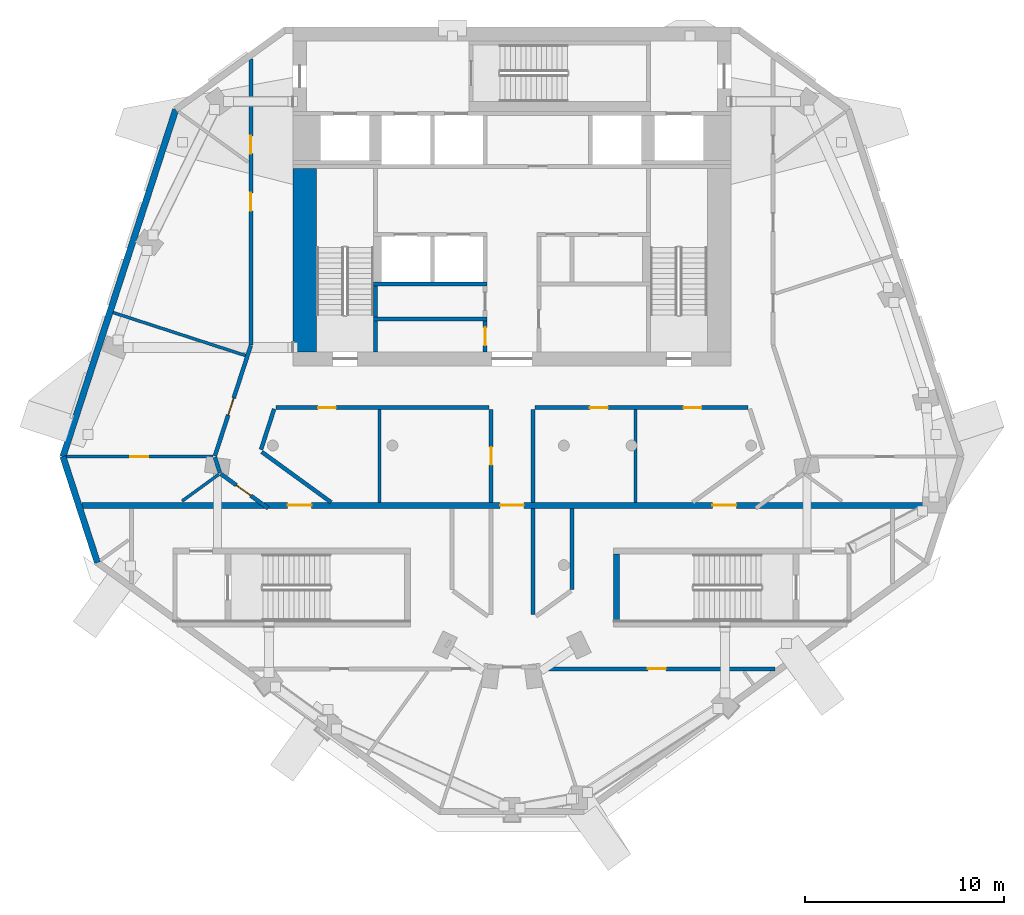
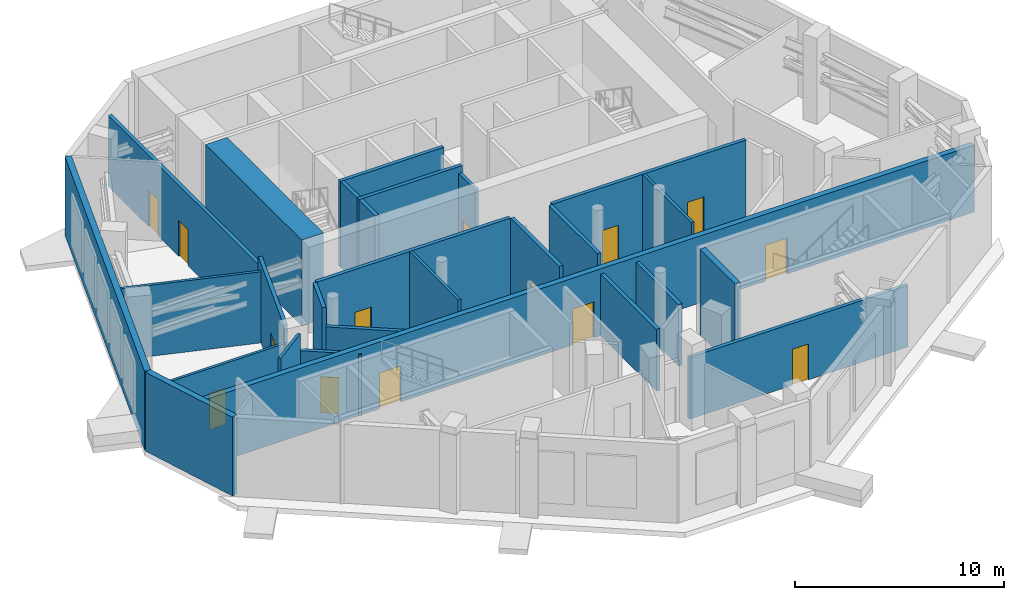
# One storey, part 7 of 15: 28 walls, 14 doors, 14 openings.
"""IFC4 building model written with IfcOpenShell, lengths in metres."""

from ifc_helpers import new_model, si_unit, direction, frame, frame_2d, origin, place, context, subcontext, project, spatial, rectangle, extrude, material, layer, layer_set, type_object, element, fill, save


model = new_model("IFC4")

# Units and contexts
model_context = context("Model", 3, precision=1e-05, world=origin(), true_north=direction((0.0, 1.0)))
body_context = subcontext(model_context, "Body", "Model", "MODEL_VIEW")
ifc_project = project(units=[si_unit("LENGTHUNIT", "METRE"), si_unit("AREAUNIT", "SQUARE_METRE"), si_unit("VOLUMEUNIT", "CUBIC_METRE"), si_unit("PLANEANGLEUNIT", "RADIAN"), si_unit("MASSUNIT", "GRAM", prefix="KILO")], contexts=[model_context])

# Site, building, storey
site_placement = place(None, origin())
site = spatial("IfcSite", under=ifc_project, at=site_placement, CompositionType="ELEMENT")
building_placement = place(site_placement, origin())
building = spatial("IfcBuilding", under=site, at=building_placement, Name="White Candle Pilgrim Tower", CompositionType="ELEMENT")
storey_placement = place(building_placement, frame((0.0, 0.0, 295.10009765625)))
storey = spatial("IfcBuildingStorey", under=building, at=storey_placement, Name="L70", CompositionType="ELEMENT", Elevation=295.10009765625)

# Wall, opening, door
ifc_material_1 = material(Name="Gypsum board on steel studs", Category="steel")
ifc_layer_1 = layer(ifc_material_1, 0.199951171875)
ifc_layer_set_1 = layer_set([ifc_layer_1], Name="Corridor wall 200 mm EI 45")
wall_type_1 = type_object("IfcWallType", Name="Corridor wall 200 mm EI 45", PredefinedType="PARTITIONING", material=ifc_layer_set_1)
wall_1_placement = place(storey_placement, frame((57.76708984375, 63.85009765625, 0.0), z_axis=(0.0, 0.0, 1.0), x_axis=(-0.809065647846, 0.587718280705, 0.0)))
wall_1 = element("IfcWall", 1, at=wall_1_placement, inside=storey, type_object=wall_type_1, Name="WL-L70-P003", PredefinedType="PARTITIONING", context=body_context, shape_type="SweptSolid", body=[
    extrude(rectangle(XDim=2.946044921875, YDim=0.199951171875, at=frame_2d((1.47314453125, 0.0))), origin(), (0.0, 0.0, 1.0), 3.599853515625),
])
opening_1_placement = place(wall_1_placement, frame((1.080078125, 0.0, 0.0)))
opening_1 = element("IfcOpeningElement", 2, at=opening_1_placement, cuts=wall_1, Name="Opening L70-120", PredefinedType="OPENING", context=body_context, shape_type="SweptSolid", body=[
    extrude(rectangle(XDim=0.89990234375, YDim=2.10009765625, at=frame_2d((0.449951171875, 1.050048828125))), frame((0.0, 0.10986328125, 0.0), z_axis=(0.0, -1.0, 0.0), x_axis=(1.0, 0.0, 0.0)), (0.0, 0.0, 1.0), 0.219970703125),
])
ifc_material_2 = material(Name="Steel door leaf", Category="steel")
door_type_1 = type_object("IfcDoorType", Name="Fire door 900 x 2100 EI 30", OperationType="NOTDEFINED", PredefinedType="DOOR", material=ifc_material_2)
door_1_placement = place(opening_1_placement, origin())
door_1 = element("IfcDoor", 3, at=door_1_placement, inside=storey, type_object=door_type_1, Name="Door L70-120", OperationType="SINGLE_SWING_RIGHT", OverallHeight=2.10009765625, OverallWidth=0.89990234375, PredefinedType="DOOR", context=body_context, shape_type="SweptSolid", body=[
    extrude(rectangle(XDim=0.89990234375, YDim=2.10009765625, at=frame_2d((0.449951171875, 1.050048828125))), frame((0.0, 0.02490234375, 0.0), z_axis=(0.0, -1.0, 0.0), x_axis=(1.0, 0.0, 0.0)), (0.0, 0.0, 1.0), 0.050048828125),
])
fill(opening_1, door_1)

# Wall
wall_2_placement = place(storey_placement, frame((55.347412109375, 65.631591796875, 0.0), z_axis=(0.0, 0.0, 1.0), x_axis=(-0.309260889552, 0.950977235371, 0.0)))
element("IfcWall", 4, at=wall_2_placement, inside=storey, type_object=wall_type_1, Name="WL-L70-P004", PredefinedType="PARTITIONING", context=body_context, shape_type="SweptSolid", body=[
    extrude(rectangle(XDim=0.821044921875, YDim=0.199951171875, at=frame_2d((0.41064453125, 0.0))), origin(), (0.0, 0.0, 1.0), 3.599853515625),
])

# Wall, opening, door
wall_3_placement = place(storey_placement, frame((55.093505859375, 66.47412109375, 0.0), z_axis=(0.0, 0.0, 1.0), x_axis=(0.30901978602, 0.95105560923, 0.0)))
wall_3 = element("IfcWall", 5, at=wall_3_placement, inside=storey, type_object=wall_type_1, Name="WL-L70-P005", PredefinedType="PARTITIONING", context=body_context, shape_type="SweptSolid", body=[
    extrude(rectangle(XDim=5.829833984375, YDim=0.199951171875, at=frame_2d((2.9150390625, 0.0))), origin(), (0.0, 0.0, 1.0), 4.599853515625),
])
opening_2_placement = place(wall_3_placement, frame((2.15673828125, 0.0, 0.0)))
opening_2 = element("IfcOpeningElement", 6, at=opening_2_placement, cuts=wall_3, Name="Opening L70-110", PredefinedType="OPENING", context=body_context, shape_type="SweptSolid", body=[
    extrude(rectangle(XDim=0.89990234375, YDim=2.10009765625, at=frame_2d((0.449951171875, 1.050048828125))), frame((0.0, 0.10986328125, 0.0), z_axis=(0.0, -1.0, 0.0), x_axis=(1.0, 0.0, 0.0)), (0.0, 0.0, 1.0), 0.219970703125),
])
door_2_placement = place(opening_2_placement, origin())
door_2 = element("IfcDoor", 7, at=door_2_placement, inside=storey, type_object=door_type_1, Name="Door L70-110", OperationType="SINGLE_SWING_RIGHT", OverallHeight=2.10009765625, OverallWidth=0.89990234375, PredefinedType="DOOR", context=body_context, shape_type="SweptSolid", body=[
    extrude(rectangle(XDim=0.89990234375, YDim=2.10009765625, at=frame_2d((0.449951171875, 1.050048828125))), frame((0.0, 0.02490234375, 0.0), z_axis=(0.0, -1.0, 0.0), x_axis=(1.0, 0.0, 0.0)), (0.0, 0.0, 1.0), 0.050048828125),
])
fill(opening_2, door_2)

# Wall, openings, doors
wall_4_placement = place(storey_placement, frame((56.89990234375, 72.049560546875, 0.0), z_axis=(0.0, 0.0, 1.0), x_axis=(0.0, 1.0, 0.0)))
wall_4 = element("IfcWall", 8, at=wall_4_placement, inside=storey, type_object=wall_type_1, Name="WL-L70-P006", PredefinedType="PARTITIONING", context=body_context, shape_type="SweptSolid", body=[
    extrude(rectangle(XDim=14.3466796875, YDim=0.199951171875, at=frame_2d((7.17333984375, 0.0))), origin(), (0.0, 0.0, 1.0), 4.14990234375),
])
opening_3_placement = place(wall_4_placement, frame((6.723388671875, 0.0, 0.0)))
opening_3 = element("IfcOpeningElement", 9, at=opening_3_placement, cuts=wall_4, Name="Opening L70-111", PredefinedType="OPENING", context=body_context, shape_type="SweptSolid", body=[
    extrude(rectangle(XDim=0.89990234375, YDim=2.10009765625, at=frame_2d((0.449951171875, 1.050048828125))), frame((0.0, 0.10986328125, 0.0), z_axis=(0.0, -1.0, 0.0), x_axis=(1.0, 0.0, 0.0)), (0.0, 0.0, 1.0), 0.219970703125),
])
opening_4_placement = place(wall_4_placement, frame((9.5927734375, 0.0, 0.0)))
opening_4 = element("IfcOpeningElement", 10, at=opening_4_placement, cuts=wall_4, Name="Opening L70-112", PredefinedType="OPENING", context=body_context, shape_type="SweptSolid", body=[
    extrude(rectangle(XDim=0.89990234375, YDim=2.10009765625, at=frame_2d((0.449951171875, 1.050048828125))), frame((0.0, 0.10986328125, 0.0), z_axis=(0.0, -1.0, 0.0), x_axis=(1.0, 0.0, 0.0)), (0.0, 0.0, 1.0), 0.219970703125),
])
door_3_placement = place(opening_3_placement, origin())
door_3 = element("IfcDoor", 11, at=door_3_placement, inside=storey, type_object=door_type_1, Name="Door L70-111", OperationType="SINGLE_SWING_LEFT", OverallHeight=2.10009765625, OverallWidth=0.89990234375, PredefinedType="DOOR", context=body_context, shape_type="SweptSolid", body=[
    extrude(rectangle(XDim=0.89990234375, YDim=2.10009765625, at=frame_2d((0.449951171875, 1.050048828125))), frame((0.0, 0.02490234375, 0.0), z_axis=(0.0, -1.0, 0.0), x_axis=(1.0, 0.0, 0.0)), (0.0, 0.0, 1.0), 0.050048828125),
])
fill(opening_3, door_3)
door_4_placement = place(opening_4_placement, origin())
door_4 = element("IfcDoor", 12, at=door_4_placement, inside=storey, type_object=door_type_1, Name="Door L70-112", OperationType="SINGLE_SWING_RIGHT", OverallHeight=2.10009765625, OverallWidth=0.89990234375, PredefinedType="DOOR", context=body_context, shape_type="SweptSolid", body=[
    extrude(rectangle(XDim=0.89990234375, YDim=2.10009765625, at=frame_2d((0.449951171875, 1.050048828125))), frame((0.0, 0.02490234375, 0.0), z_axis=(0.0, -1.0, 0.0), x_axis=(1.0, 0.0, 0.0)), (0.0, 0.0, 1.0), 0.050048828125),
])
fill(opening_4, door_4)

# Wall, opening, door
wall_5_placement = place(storey_placement, frame((83.1982421875, 55.800048828125, 0.0), z_axis=(0.0, 0.0, 1.0), x_axis=(-1.0, 0.0, 0.0)))
wall_5 = element("IfcWall", 13, at=wall_5_placement, inside=storey, type_object=wall_type_1, Name="WL-L70-P012", PredefinedType="PARTITIONING", context=body_context, shape_type="SweptSolid", body=[
    extrude(rectangle(XDim=12.033935546875, YDim=0.199951171875, at=frame_2d((6.01708984375, 0.0))), origin(), (0.0, 0.0, 1.0), 3.599853515625),
])
opening_5_placement = place(wall_5_placement, frame((5.47900390625, 0.0, 0.0)))
opening_5 = element("IfcOpeningElement", 14, at=opening_5_placement, cuts=wall_5, Name="Opening L70-103", PredefinedType="OPENING", context=body_context, shape_type="SweptSolid", body=[
    extrude(rectangle(XDim=0.89990234375, YDim=2.10009765625, at=frame_2d((0.449951171875, 1.050048828125))), frame((0.0, 0.10986328125, 0.0), z_axis=(0.0, -1.0, 0.0), x_axis=(1.0, 0.0, 0.0)), (0.0, 0.0, 1.0), 0.219970703125),
])
door_5_placement = place(opening_5_placement, origin())
door_5 = element("IfcDoor", 15, at=door_5_placement, inside=storey, type_object=door_type_1, Name="Door L70-103", OperationType="SINGLE_SWING_LEFT", OverallHeight=2.10009765625, OverallWidth=0.89990234375, PredefinedType="DOOR", context=body_context, shape_type="SweptSolid", body=[
    extrude(rectangle(XDim=0.89990234375, YDim=2.10009765625, at=frame_2d((0.449951171875, 1.050048828125))), frame((0.0, 0.02490234375, 0.0), z_axis=(0.0, -1.0, 0.0), x_axis=(1.0, 0.0, 0.0)), (0.0, 0.0, 1.0), 0.050048828125),
])
fill(opening_5, door_5)

# Wall, openings, doors
wall_6_placement = place(storey_placement, frame((81.83740234375, 68.89990234375, 0.0), z_axis=(0.0, 0.0, 1.0), x_axis=(-1.0, 0.0, 0.0)))
wall_6 = element("IfcWall", 16, at=wall_6_placement, inside=storey, type_object=wall_type_1, Name="WL-L70-P016", PredefinedType="PARTITIONING", context=body_context, shape_type="SweptSolid", body=[
    extrude(rectangle(XDim=10.6875, YDim=0.199951171875, at=frame_2d((5.34375, 0.0))), origin(), (0.0, 0.0, 1.0), 4.599853515625),
])
opening_6_placement = place(wall_6_placement, frame((2.330810546875, 0.0, 0.0)))
opening_6 = element("IfcOpeningElement", 17, at=opening_6_placement, cuts=wall_6, Name="Opening L70-107", PredefinedType="OPENING", context=body_context, shape_type="SweptSolid", body=[
    extrude(rectangle(XDim=0.89990234375, YDim=2.10009765625, at=frame_2d((0.449951171875, 1.050048828125))), frame((0.0, 0.10986328125, 0.0), z_axis=(0.0, -1.0, 0.0), x_axis=(1.0, 0.0, 0.0)), (0.0, 0.0, 1.0), 0.219970703125),
])
opening_7_placement = place(wall_6_placement, frame((7.03125, 0.0, 0.0)))
opening_7 = element("IfcOpeningElement", 18, at=opening_7_placement, cuts=wall_6, Name="Opening L70-118", PredefinedType="OPENING", context=body_context, shape_type="SweptSolid", body=[
    extrude(rectangle(XDim=0.89990234375, YDim=2.10009765625, at=frame_2d((0.449951171875, 1.050048828125))), frame((0.0, 0.10986328125, 0.0), z_axis=(0.0, -1.0, 0.0), x_axis=(1.0, 0.0, 0.0)), (0.0, 0.0, 1.0), 0.219970703125),
])
door_6_placement = place(opening_6_placement, origin())
door_6 = element("IfcDoor", 19, at=door_6_placement, inside=storey, type_object=door_type_1, Name="Door L70-107", OperationType="SINGLE_SWING_LEFT", OverallHeight=2.10009765625, OverallWidth=0.89990234375, PredefinedType="DOOR", context=body_context, shape_type="SweptSolid", body=[
    extrude(rectangle(XDim=0.89990234375, YDim=2.10009765625, at=frame_2d((0.449951171875, 1.050048828125))), frame((0.0, 0.02490234375, 0.0), z_axis=(0.0, -1.0, 0.0), x_axis=(1.0, 0.0, 0.0)), (0.0, 0.0, 1.0), 0.050048828125),
])
fill(opening_6, door_6)
door_7_placement = place(opening_7_placement, origin())
door_7 = element("IfcDoor", 20, at=door_7_placement, inside=storey, type_object=door_type_1, Name="Door L70-118", OperationType="SINGLE_SWING_RIGHT", OverallHeight=2.10009765625, OverallWidth=0.89990234375, PredefinedType="DOOR", context=body_context, shape_type="SweptSolid", body=[
    extrude(rectangle(XDim=0.89990234375, YDim=2.10009765625, at=frame_2d((0.449951171875, 1.050048828125))), frame((0.0, 0.02490234375, 0.0), z_axis=(0.0, -1.0, 0.0), x_axis=(1.0, 0.0, 0.0)), (0.0, 0.0, 1.0), 0.050048828125),
])
fill(opening_7, door_7)

# Walls
wall_7_placement = place(storey_placement, frame((71.050048828125, 68.800048828125, 0.0), z_axis=(0.0, 0.0, 1.0), x_axis=(0.0, -1.0, 0.0)))
element("IfcWall", 21, at=wall_7_placement, inside=storey, type_object=wall_type_1, Name="WL-L70-P017", PredefinedType="PARTITIONING", context=body_context, shape_type="SweptSolid", body=[
    extrude(rectangle(XDim=4.650146484375, YDim=0.199951171875, at=frame_2d((2.3251953125, 0.0))), origin(), (0.0, 0.0, 1.0), 4.599853515625),
])
wall_8_placement = place(storey_placement, frame((71.050048828125, 63.85009765625, 0.0), z_axis=(0.0, 0.0, 1.0), x_axis=(0.0, -1.0, 0.0)))
element("IfcWall", 22, at=wall_8_placement, inside=storey, type_object=wall_type_1, Name="WL-L70-P018", PredefinedType="PARTITIONING", context=body_context, shape_type="SweptSolid", body=[
    extrude(rectangle(XDim=5.3330078125, YDim=0.199951171875, at=frame_2d((2.66650390625, 0.0))), origin(), (0.0, 0.0, 1.0), 3.599853515625),
])
wall_9_placement = place(storey_placement, frame((73.0, 59.78857421875, 0.0), z_axis=(0.0, 0.0, 1.0), x_axis=(0.0, 1.0, 0.0)))
element("IfcWall", 23, at=wall_9_placement, inside=storey, type_object=wall_type_1, Name="WL-L70-P020", PredefinedType="PARTITIONING", context=body_context, shape_type="SweptSolid", body=[
    extrude(rectangle(XDim=4.0615234375, YDim=0.199951171875, at=frame_2d((2.03076171875, 0.0))), origin(), (0.0, 0.0, 1.0), 3.599853515625),
])

# Wall, opening, door
wall_10_placement = place(storey_placement, frame((68.949951171875, 64.14990234375, 0.0), z_axis=(0.0, 0.0, 1.0), x_axis=(0.0, 1.0, 0.0)))
wall_10 = element("IfcWall", 24, at=wall_10_placement, inside=storey, type_object=wall_type_1, Name="WL-L70-P024", PredefinedType="PARTITIONING", context=body_context, shape_type="SweptSolid", body=[
    extrude(rectangle(XDim=4.650146484375, YDim=0.199951171875, at=frame_2d((2.3251953125, 0.0))), origin(), (0.0, 0.0, 1.0), 4.599853515625),
])
opening_8_placement = place(wall_10_placement, frame((1.875, 0.0, 0.0)))
opening_8 = element("IfcOpeningElement", 25, at=opening_8_placement, cuts=wall_10, Name="Opening L70-119", PredefinedType="OPENING", context=body_context, shape_type="SweptSolid", body=[
    extrude(rectangle(XDim=0.89990234375, YDim=2.10009765625, at=frame_2d((0.449951171875, 1.050048828125))), frame((0.0, 0.10986328125, 0.0), z_axis=(0.0, -1.0, 0.0), x_axis=(1.0, 0.0, 0.0)), (0.0, 0.0, 1.0), 0.219970703125),
])
door_8_placement = place(opening_8_placement, origin())
door_8 = element("IfcDoor", 26, at=door_8_placement, inside=storey, type_object=door_type_1, Name="Door L70-119", OperationType="SINGLE_SWING_LEFT", OverallHeight=2.10009765625, OverallWidth=0.89990234375, PredefinedType="DOOR", context=body_context, shape_type="SweptSolid", body=[
    extrude(rectangle(XDim=0.89990234375, YDim=2.10009765625, at=frame_2d((0.449951171875, 1.050048828125))), frame((0.0, 0.02490234375, 0.0), z_axis=(0.0, -1.0, 0.0), x_axis=(1.0, 0.0, 0.0)), (0.0, 0.0, 1.0), 0.050048828125),
])
fill(opening_8, door_8)

wall_11_placement = place(storey_placement, frame((68.85009765625, 68.89990234375, 0.0), z_axis=(0.0, 0.0, 1.0), x_axis=(-1.0, 0.0, 0.0)))
wall_11 = element("IfcWall", 27, at=wall_11_placement, inside=storey, type_object=wall_type_1, Name="WL-L70-P025", PredefinedType="PARTITIONING", context=body_context, shape_type="SweptSolid", body=[
    extrude(rectangle(XDim=10.6875, YDim=0.199951171875, at=frame_2d((5.34375, 0.0))), origin(), (0.0, 0.0, 1.0), 4.599853515625),
])
opening_9_placement = place(wall_11_placement, frame((7.681396484375, 0.0, 0.0)))
opening_9 = element("IfcOpeningElement", 28, at=opening_9_placement, cuts=wall_11, Name="Opening L70-108", PredefinedType="OPENING", context=body_context, shape_type="SweptSolid", body=[
    extrude(rectangle(XDim=0.89990234375, YDim=2.10009765625, at=frame_2d((0.449951171875, 1.050048828125))), frame((0.0, 0.10986328125, 0.0), z_axis=(0.0, -1.0, 0.0), x_axis=(1.0, 0.0, 0.0)), (0.0, 0.0, 1.0), 0.219970703125),
])
door_9_placement = place(opening_9_placement, origin())
door_9 = element("IfcDoor", 29, at=door_9_placement, inside=storey, type_object=door_type_1, Name="Door L70-108", OperationType="SINGLE_SWING_RIGHT", OverallHeight=2.10009765625, OverallWidth=0.89990234375, PredefinedType="DOOR", context=body_context, shape_type="SweptSolid", body=[
    extrude(rectangle(XDim=0.89990234375, YDim=2.10009765625, at=frame_2d((0.449951171875, 1.050048828125))), frame((0.0, 0.02490234375, 0.0), z_axis=(0.0, -1.0, 0.0), x_axis=(1.0, 0.0, 0.0)), (0.0, 0.0, 1.0), 0.050048828125),
])
fill(opening_9, door_9)

# Walls
wall_12_placement = place(storey_placement, frame((58.0673828125, 68.830810546875, 0.0), z_axis=(0.0, 0.0, 1.0), x_axis=(-0.309003597347, -0.951060869149, 0.0)))
element("IfcWall", 30, at=wall_12_placement, inside=storey, type_object=wall_type_1, Name="WL-L70-P026", PredefinedType="PARTITIONING", context=body_context, shape_type="SweptSolid", body=[
    extrude(rectangle(XDim=2.141845703125, YDim=0.199951171875, at=frame_2d((1.07080078125, 0.0))), origin(), (0.0, 0.0, 1.0), 4.599853515625),
])
wall_13_placement = place(storey_placement, frame((57.44189453125, 66.681884765625, 0.0), z_axis=(0.0, 0.0, 1.0), x_axis=(0.809027628487, -0.587770615414, 0.0)))
element("IfcWall", 31, at=wall_13_placement, inside=storey, type_object=wall_type_1, Name="WL-L70-P027", PredefinedType="PARTITIONING", context=body_context, shape_type="SweptSolid", body=[
    extrude(rectangle(XDim=4.307861328125, YDim=0.199951171875, at=frame_2d((2.15380859375, 0.0))), origin(), (0.0, 0.0, 1.0), 3.599853515625),
])
ifc_material_3 = material(Name="Precast concrete C40/50", Category="concrete")
ifc_layer_2 = layer(ifc_material_3, 0.320068359375)
ifc_layer_set_2 = layer_set([ifc_layer_2], Name="Facade wall EW2 precast concrete C40/50 plant wall behind louvres")
wall_type_2 = type_object("IfcWallType", Name="Facade wall EW2 precast concrete C40/50 plant wall behind louvres", PredefinedType="SOLIDWALL", material=ifc_layer_set_2)
wall_14_placement = place(storey_placement, frame((47.470947265625, 66.443359375, 0.0), z_axis=(0.0, 0.0, 1.0), x_axis=(0.309039663735, -0.951049150275, 0.0)))
element("IfcWall", 32, at=wall_14_placement, inside=storey, type_object=wall_type_2, Name="Facade wall L70 W chamfer", PredefinedType="SOLIDWALL", context=body_context, shape_type="SweptSolid", body=[
    extrude(rectangle(XDim=5.5908203125, YDim=0.320068359375, at=frame_2d((2.79541015625, 0.0))), origin(), (0.0, 0.0, 1.0), 4.599853515625),
])
wall_15_placement = place(storey_placement, frame((53.1279296875, 83.853515625, 0.0), z_axis=(0.0, 0.0, 1.0), x_axis=(-0.30902093442, -0.951055236088, 0.0)))
element("IfcWall", 33, at=wall_15_placement, inside=storey, type_object=wall_type_2, Name="Facade wall L70 WNW", PredefinedType="SOLIDWALL", context=body_context, shape_type="SweptSolid", body=[
    extrude(rectangle(XDim=18.30615234375, YDim=0.320068359375, at=frame_2d((9.153076171875, 0.0))), origin(), (0.0, 0.0, 1.0), 4.599853515625),
])

# Wall, openings, doors
ifc_material_4 = material(Name="Aerated concrete block", Category="concrete")
ifc_layer_3 = layer(ifc_material_4, 0.300048828125)
ifc_layer_set_3 = layer_set([ifc_layer_3], Name="Fire wall 300 mm REI 240")
wall_type_3 = type_object("IfcWallType", Name="Fire wall 300 mm REI 240", PredefinedType="PARTITIONING", material=ifc_layer_set_3)
wall_16_placement = place(storey_placement, frame((48.43310546875, 64.0, 0.0), z_axis=(0.0, 0.0, 1.0), x_axis=(1.0, 0.0, 0.0)))
wall_16 = element("IfcWall", 34, at=wall_16_placement, inside=storey, type_object=wall_type_3, Name="WL-L70-P001", PredefinedType="PARTITIONING", context=body_context, shape_type="SweptSolid", body=[
    extrude(rectangle(XDim=43.1337890625, YDim=0.300048828125, at=frame_2d((21.56689453125, 0.0))), origin(), (0.0, 0.0, 1.0), 3.89990234375),
])
opening_10_placement = place(wall_16_placement, frame((10.31396484375, 0.0, 0.0)))
opening_10 = element("IfcOpeningElement", 35, at=opening_10_placement, cuts=wall_16, Name="Opening L70-104", PredefinedType="OPENING", context=body_context, shape_type="SweptSolid", body=[
    extrude(rectangle(XDim=1.199951171875, YDim=2.10009765625, at=frame_2d((0.60009765625, 1.050048828125))), frame((0.0, 0.159912109375, 0.0), z_axis=(0.0, -1.0, 0.0), x_axis=(1.0, 0.0, 0.0)), (0.0, 0.0, 1.0), 0.320068359375),
])
opening_11_placement = place(wall_16_placement, frame((20.966796875, 0.0, 0.0)))
opening_11 = element("IfcOpeningElement", 36, at=opening_11_placement, cuts=wall_16, Name="Opening L70-105", PredefinedType="OPENING", context=body_context, shape_type="SweptSolid", body=[
    extrude(rectangle(XDim=1.199951171875, YDim=2.10009765625, at=frame_2d((0.60009765625, 1.050048828125))), frame((0.0, 0.159912109375, 0.0), z_axis=(0.0, -1.0, 0.0), x_axis=(1.0, 0.0, 0.0)), (0.0, 0.0, 1.0), 0.320068359375),
])
opening_12_placement = place(wall_16_placement, frame((31.619873046875, 0.0, 0.0)))
opening_12 = element("IfcOpeningElement", 37, at=opening_12_placement, cuts=wall_16, Name="Opening L70-106", PredefinedType="OPENING", context=body_context, shape_type="SweptSolid", body=[
    extrude(rectangle(XDim=1.199951171875, YDim=2.10009765625, at=frame_2d((0.60009765625, 1.050048828125))), frame((0.0, 0.159912109375, 0.0), z_axis=(0.0, -1.0, 0.0), x_axis=(1.0, 0.0, 0.0)), (0.0, 0.0, 1.0), 0.320068359375),
])
door_type_2 = type_object("IfcDoorType", Name="Fire door 1200 x 2100 EI 60", OperationType="NOTDEFINED", PredefinedType="DOOR", material=ifc_material_2)
door_10_placement = place(opening_10_placement, origin())
door_10 = element("IfcDoor", 38, at=door_10_placement, inside=storey, type_object=door_type_2, Name="Door L70-104", OperationType="SINGLE_SWING_RIGHT", OverallHeight=2.10009765625, OverallWidth=1.199951171875, PredefinedType="DOOR", context=body_context, shape_type="SweptSolid", body=[
    extrude(rectangle(XDim=1.199951171875, YDim=2.10009765625, at=frame_2d((0.60009765625, 1.050048828125))), frame((0.0, 0.02490234375, 0.0), z_axis=(0.0, -1.0, 0.0), x_axis=(1.0, 0.0, 0.0)), (0.0, 0.0, 1.0), 0.050048828125),
])
fill(opening_10, door_10)
door_11_placement = place(opening_11_placement, origin())
door_11 = element("IfcDoor", 39, at=door_11_placement, inside=storey, type_object=door_type_2, Name="Door L70-105", OperationType="SINGLE_SWING_LEFT", OverallHeight=2.10009765625, OverallWidth=1.199951171875, PredefinedType="DOOR", context=body_context, shape_type="SweptSolid", body=[
    extrude(rectangle(XDim=1.199951171875, YDim=2.10009765625, at=frame_2d((0.60009765625, 1.050048828125))), frame((0.0, 0.02490234375, 0.0), z_axis=(0.0, -1.0, 0.0), x_axis=(1.0, 0.0, 0.0)), (0.0, 0.0, 1.0), 0.050048828125),
])
fill(opening_11, door_11)
door_12_placement = place(opening_12_placement, origin())
door_12 = element("IfcDoor", 40, at=door_12_placement, inside=storey, type_object=door_type_2, Name="Door L70-106", OperationType="SINGLE_SWING_RIGHT", OverallHeight=2.10009765625, OverallWidth=1.199951171875, PredefinedType="DOOR", context=body_context, shape_type="SweptSolid", body=[
    extrude(rectangle(XDim=1.199951171875, YDim=2.10009765625, at=frame_2d((0.60009765625, 1.050048828125))), frame((0.0, 0.02490234375, 0.0), z_axis=(0.0, -1.0, 0.0), x_axis=(1.0, 0.0, 0.0)), (0.0, 0.0, 1.0), 0.050048828125),
])
fill(opening_12, door_12)

# Wall, opening, door
ifc_layer_4 = layer(ifc_material_1, 0.199951171875)
ifc_layer_set_4 = layer_set([ifc_layer_4], Name="Lobby wall 200 mm EI 60")
wall_type_4 = type_object("IfcWallType", Name="Lobby wall 200 mm EI 60", PredefinedType="PARTITIONING", material=ifc_layer_set_4)
wall_17_placement = place(storey_placement, frame((68.64990234375, 71.699951171875, 0.0), z_axis=(0.0, 0.0, 1.0), x_axis=(0.0, 1.0, 0.0)))
wall_17 = element("IfcWall", 41, at=wall_17_placement, inside=storey, type_object=wall_type_4, Name="WL-L70-C16", PredefinedType="PARTITIONING", context=body_context, shape_type="SweptSolid", body=[
    extrude(rectangle(XDim=1.550048828125, YDim=0.199951171875, at=frame_2d((0.77490234375, 0.0))), origin(), (0.0, 0.0, 1.0), 4.599853515625),
])
opening_13_placement = place(wall_17_placement, frame((0.324951171875, 0.0, 0.0)))
opening_13 = element("IfcOpeningElement", 42, at=opening_13_placement, cuts=wall_17, Name="Opening L70-005", PredefinedType="OPENING", context=body_context, shape_type="SweptSolid", body=[
    extrude(rectangle(XDim=0.89990234375, YDim=2.10009765625, at=frame_2d((0.449951171875, 1.050048828125))), frame((0.0, 0.10986328125, 0.0), z_axis=(0.0, -1.0, 0.0), x_axis=(1.0, 0.0, 0.0)), (0.0, 0.0, 1.0), 0.219970703125),
])
door_13_placement = place(opening_13_placement, origin())
door_13 = element("IfcDoor", 43, at=door_13_placement, inside=storey, type_object=door_type_1, Name="Door L70-005", OperationType="SINGLE_SWING_LEFT", OverallHeight=2.10009765625, OverallWidth=0.89990234375, PredefinedType="DOOR", context=body_context, shape_type="SweptSolid", body=[
    extrude(rectangle(XDim=0.89990234375, YDim=2.10009765625, at=frame_2d((0.449951171875, 1.050048828125))), frame((0.0, 0.02490234375, 0.0), z_axis=(0.0, -1.0, 0.0), x_axis=(1.0, 0.0, 0.0)), (0.0, 0.0, 1.0), 0.050048828125),
])
fill(opening_13, door_13)

ifc_layer_5 = layer(ifc_material_1, 0.14990234375)
ifc_layer_set_5 = layer_set([ifc_layer_5], Name="Partition 150 mm EI 60")
wall_type_5 = type_object("IfcWallType", Name="Partition 150 mm EI 60", PredefinedType="PARTITIONING", material=ifc_layer_set_5)
wall_18_placement = place(storey_placement, frame((47.63916015625, 66.443359375, 0.0), z_axis=(0.0, 0.0, 1.0), x_axis=(1.0, 0.0, 0.0)))
wall_18 = element("IfcWall", 44, at=wall_18_placement, inside=storey, type_object=wall_type_5, Name="WL-L70-P030", PredefinedType="PARTITIONING", context=body_context, shape_type="SweptSolid", body=[
    extrude(rectangle(XDim=7.359375, YDim=0.14990234375, at=frame_2d((3.6796875, 0.0))), origin(), (0.0, 0.0, 1.0), 3.599853515625),
])
opening_14_placement = place(wall_18_placement, frame((3.218017578125, 0.0, 0.0)))
opening_14 = element("IfcOpeningElement", 45, at=opening_14_placement, cuts=wall_18, Name="Opening L70-121", PredefinedType="OPENING", context=body_context, shape_type="SweptSolid", body=[
    extrude(rectangle(XDim=0.89990234375, YDim=2.10009765625, at=frame_2d((0.449951171875, 1.050048828125))), frame((0.0, 0.0849609375, 0.0), z_axis=(0.0, -1.0, 0.0), x_axis=(1.0, 0.0, 0.0)), (0.0, 0.0, 1.0), 0.169921875),
])
door_14_placement = place(opening_14_placement, frame((0.89990234375, 0.0, 0.0), z_axis=(0.0, 0.0, 1.0), x_axis=(-1.0, 0.0, 0.0)))
door_14 = element("IfcDoor", 46, at=door_14_placement, inside=storey, type_object=door_type_1, Name="Door L70-121", OperationType="SINGLE_SWING_RIGHT", OverallHeight=2.10009765625, OverallWidth=0.89990234375, PredefinedType="DOOR", context=body_context, shape_type="SweptSolid", body=[
    extrude(rectangle(XDim=0.89990234375, YDim=2.10009765625, at=frame_2d((0.449951171875, 1.050048828125))), frame((0.0, 0.02490234375, 0.0), z_axis=(0.0, -1.0, 0.0), x_axis=(1.0, 0.0, 0.0)), (0.0, 0.0, 1.0), 0.050048828125),
])
fill(opening_14, door_14)

# Walls
wall_19_placement = place(storey_placement, frame((53.444091796875, 64.210693359375, 0.0), z_axis=(0.0, 0.0, 1.0), x_axis=(0.809018460862, 0.587783233841, 0.0)))
element("IfcWall", 47, at=wall_19_placement, inside=storey, type_object=wall_type_5, Name="WL-L70-P032", PredefinedType="PARTITIONING", context=body_context, shape_type="SweptSolid", body=[
    extrude(rectangle(XDim=2.27978515625, YDim=0.14990234375, at=frame_2d((1.139892578125, 0.0))), origin(), (0.0, 0.0, 1.0), 4.599853515625),
])
wall_20_placement = place(storey_placement, frame((49.988037109375, 73.67236328125, 0.0), z_axis=(0.0, 0.0, 1.0), x_axis=(0.951055400562, -0.309020428229, 0.0)))
element("IfcWall", 48, at=wall_20_placement, inside=storey, type_object=wall_type_5, Name="WL-L70-P039", PredefinedType="PARTITIONING", context=body_context, shape_type="SweptSolid", body=[
    extrude(rectangle(XDim=6.97998046875, YDim=0.14990234375, at=frame_2d((3.489990234375, 0.0))), origin(), (0.0, 0.0, 1.0), 4.14990234375),
])
for number, where, z_axis, x_axis, name in (
    (49, (76.203125, 64.14990234375, 0.0), (0.0, 0.0, 1.0), (0.0, 1.0, 0.0), "WL-L70-P045"),
    (50, (63.34716796875, 64.14990234375, 0.0), (0.0, 0.0, 1.0), (0.0, 1.0, 0.0), "WL-L70-P046"),
):
    element("IfcWall", number, at=place(storey_placement, frame(where, z_axis=z_axis, x_axis=x_axis)), inside=storey, type_object=wall_type_5, Name=name, PredefinedType="PARTITIONING", context=body_context, shape_type="SweptSolid", body=[
        extrude(rectangle(XDim=4.650146484375, YDim=0.14990234375, at=frame_2d((2.3251953125, 0.0))), origin(), (0.0, 0.0, 1.0), 4.599853515625),
    ])
ifc_material_5 = material(Name="Concrete C50/60", Category="concrete")
ifc_layer_6 = layer(ifc_material_5, 1.199951171875)
ifc_layer_set_6 = layer_set([ifc_layer_6], Name="Stair shaft wall 1200 mm Concrete C50/60")
wall_type_6 = type_object("IfcWallType", Name="Stair shaft wall 1200 mm Concrete C50/60", PredefinedType="SHEAR", material=ifc_layer_set_6)
wall_21_placement = place(storey_placement, frame((59.60009765625, 71.699951171875, 0.0), z_axis=(0.0, 0.0, 1.0), x_axis=(0.0, 1.0, 0.0)))
element("IfcWall", 51, at=wall_21_placement, inside=storey, type_object=wall_type_6, Name="WL-L70-C14", PredefinedType="SHEAR", context=body_context, shape_type="SweptSolid", body=[
    extrude(rectangle(XDim=9.199951171875, YDim=1.199951171875, at=frame_2d((4.60009765625, 0.0))), origin(), (0.0, 0.0, 1.0), 5.0),
])
ifc_layer_7 = layer(ifc_material_5, 0.199951171875)
ifc_layer_set_7 = layer_set([ifc_layer_7], Name="Stair shaft wall 200 mm Concrete C50/60")
wall_type_7 = type_object("IfcWallType", Name="Stair shaft wall 200 mm Concrete C50/60", PredefinedType="SHEAR", material=ifc_layer_set_7)
wall_22_placement = place(storey_placement, frame((63.14990234375, 71.699951171875, 0.0), z_axis=(0.0, 0.0, 1.0), x_axis=(0.0, 1.0, 0.0)))
element("IfcWall", 52, at=wall_22_placement, inside=storey, type_object=wall_type_7, Name="WL-L70-C15", PredefinedType="SHEAR", context=body_context, shape_type="SweptSolid", body=[
    extrude(rectangle(XDim=1.550048828125, YDim=0.199951171875, at=frame_2d((0.77490234375, 0.0))), origin(), (0.0, 0.0, 1.0), 5.0),
])
wall_23_placement = place(storey_placement, frame((63.050048828125, 73.35009765625, 0.0), z_axis=(0.0, 0.0, 1.0), x_axis=(1.0, 0.0, 0.0)))
element("IfcWall", 53, at=wall_23_placement, inside=storey, type_object=wall_type_7, Name="WL-L70-C20", PredefinedType="SHEAR", context=body_context, shape_type="SweptSolid", body=[
    extrude(rectangle(XDim=5.699951171875, YDim=0.199951171875, at=frame_2d((2.85009765625, 0.0))), origin(), (0.0, 0.0, 1.0), 5.0),
])
wall_24_placement = place(storey_placement, frame((63.14990234375, 73.449951171875, 0.0), z_axis=(0.0, 0.0, 1.0), x_axis=(0.0, 1.0, 0.0)))
element("IfcWall", 54, at=wall_24_placement, inside=storey, type_object=wall_type_7, Name="WL-L70-C21", PredefinedType="SHEAR", context=body_context, shape_type="SweptSolid", body=[
    extrude(rectangle(XDim=1.550048828125, YDim=0.199951171875, at=frame_2d((0.77490234375, 0.0))), origin(), (0.0, 0.0, 1.0), 5.0),
])
wall_25_placement = place(storey_placement, frame((63.050048828125, 75.10009765625, 0.0), z_axis=(0.0, 0.0, 1.0), x_axis=(1.0, 0.0, 0.0)))
element("IfcWall", 55, at=wall_25_placement, inside=storey, type_object=wall_type_7, Name="WL-L70-C23", PredefinedType="SHEAR", context=body_context, shape_type="SweptSolid", body=[
    extrude(rectangle(XDim=5.699951171875, YDim=0.199951171875, at=frame_2d((2.85009765625, 0.0))), origin(), (0.0, 0.0, 1.0), 5.0),
])
ifc_layer_8 = layer(ifc_material_5, 0.300048828125)
ifc_layer_set_8 = layer_set([ifc_layer_8], Name="Stair shaft wall 300 mm Concrete C50/60")
wall_type_8 = type_object("IfcWallType", Name="Stair shaft wall 300 mm Concrete C50/60", PredefinedType="SHEAR", material=ifc_layer_set_8)
wall_26_placement = place(storey_placement, frame((75.25, 58.199951171875, 0.0), z_axis=(0.0, 0.0, 1.0), x_axis=(0.0, 1.0, 0.0)))
element("IfcWall", 56, at=wall_26_placement, inside=storey, type_object=wall_type_8, Name="WL-L70-C08", PredefinedType="SHEAR", context=body_context, shape_type="SweptSolid", body=[
    extrude(rectangle(XDim=3.35009765625, YDim=0.300048828125, at=frame_2d((1.675048828125, 0.0))), origin(), (0.0, 0.0, 1.0), 5.0),
])

save(model, "model.ifc")
